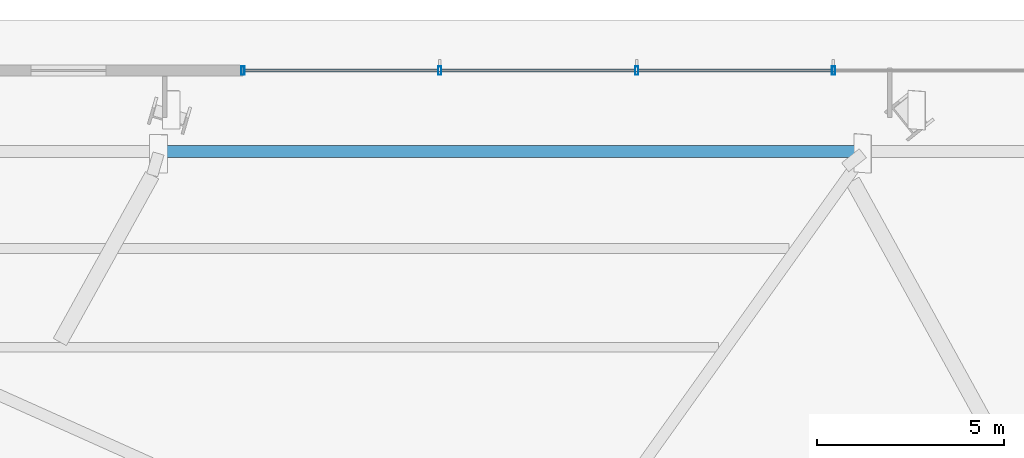
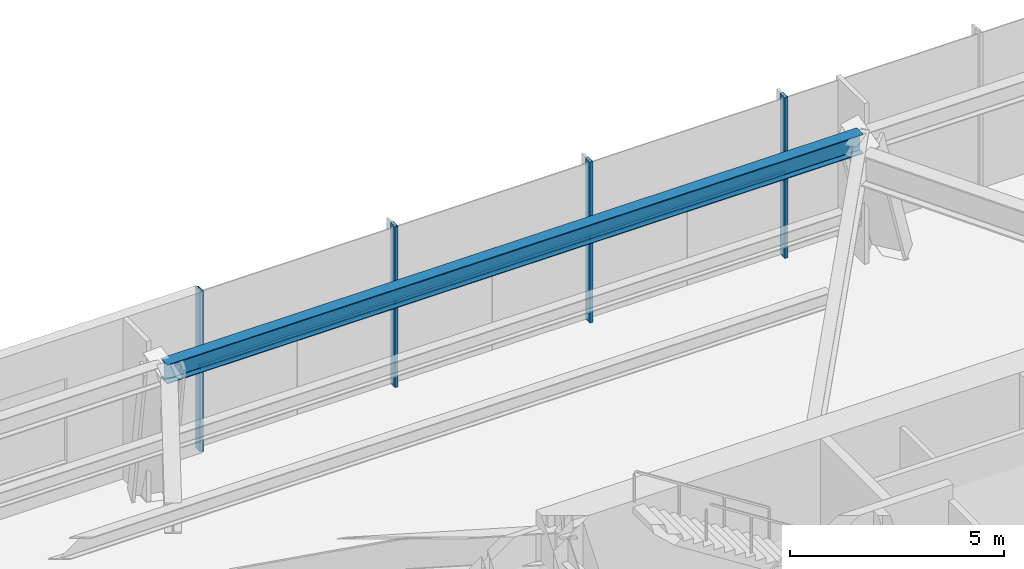
# One storey, part 15 of 31: 7 members, 1 beam, 1 element without a shape of its own.
"""IFC4 building model written with IfcOpenShell, lengths in metres."""

from ifc_helpers import new_model, si_unit, direction, frame, origin, origin_2d, place, context, subcontext, project, spatial, hollow_rectangle, i_section, extrude, source, transform, mapped, material, material_profile, profile_set, type_object, type_shapes, element, aggregate, save


model = new_model("IFC4")

# Units and contexts
model_context = context("Model", 3, precision=1e-05, world=origin(), true_north=direction((0.0, 1.0)))
body_context = subcontext(model_context, "Body", "Model", "MODEL_VIEW")
ifc_project = project(units=[si_unit("LENGTHUNIT", "METRE"), si_unit("AREAUNIT", "SQUARE_METRE"), si_unit("VOLUMEUNIT", "CUBIC_METRE"), si_unit("PLANEANGLEUNIT", "RADIAN"), si_unit("MASSUNIT", "GRAM", prefix="KILO")], contexts=[model_context])

# Site, building, storey
site_placement = place(None, origin())
site = spatial("IfcSite", under=ifc_project, at=site_placement, CompositionType="ELEMENT")
building_placement = place(site_placement, origin())
building = spatial("IfcBuilding", under=site, at=building_placement, Name="Astriad Promenade Condominiums", CompositionType="ELEMENT")
storey_placement = place(building_placement, origin())
storey = spatial("IfcBuildingStorey", under=building, at=storey_placement, Name="L00", CompositionType="ELEMENT", Elevation=0.0)

# Beam
ifc_material_1 = material(Name="Steel ASTM A992 Grade 50", Category="steel")
ifc_material_profile_1 = material_profile(ifc_material_1, i_section(OverallWidth=0.3134765625, OverallDepth=0.54638671875, WebThickness=0.013916015625, FlangeThickness=0.022216796875, FilletRadius=0.0166015625, at=origin_2d()), Name="W21X111")
ifc_profile_set_1 = profile_set([ifc_material_profile_1], Name="Steel ASTM A992 Grade 50")
beam_type = type_object("IfcBeamType", Name="STEEL SPANDREL BEAM W21X111", PredefinedType="SPANDREL", material=ifc_profile_set_1)
shared_shape_1 = source(origin(), body_context, "Body", "SweptSolid", [
    extrude(i_section(OverallWidth=0.3134765625, OverallDepth=0.54638671875, WebThickness=0.013916015625, FlangeThickness=0.022216796875, FilletRadius=0.0166015625, at=origin_2d()), origin(), (0.0, 0.0, 1.0), 18.74853515625),
])
type_shapes(beam_type, [shared_shape_1])
beam_placement = place(storey_placement, frame((40.54931640625, 34.49169921875, 4.306884765625), z_axis=(-0.999999999915, -1.3021851e-05, 0.0), x_axis=(1.3021851e-05, -0.999999999915, 0.0)))
element("IfcBeam", 1, at=beam_placement, inside=storey, type_object=beam_type, Name="Perimeter Spandrel Beam SP-N2-L00", PredefinedType="SPANDREL", context=body_context, shape_type="MappedRepresentation", body=[
    mapped(shared_shape_1, transform((0.0, 0.0, 0.0), scale=1.0)),
])

# Curtain wall, members
ifc_material_2 = material(Name="Anodised aluminium Black Dark Glass Unitised", Category="aluminium")
curtain_wall_type = type_object("IfcCurtainWallType", Name="CW-POD-DARK", PredefinedType="USERDEFINED", material=ifc_material_2)
curtain_wall_placement = place(storey_placement, origin())
curtain_wall = element("IfcCurtainWall", 2, at=curtain_wall_placement, inside=storey, type_object=curtain_wall_type, Name="CW-L00-N", ObjectType="UNITISED_CURTAIN_WALL", PredefinedType="USERDEFINED")
ifc_material_3 = material(Name="Anodised aluminium 6063-T6 Black", Category="aluminium")
ifc_material_profile_2 = material_profile(ifc_material_3, hollow_rectangle(XDim=0.0849609375, YDim=0.219970703125, WallThickness=0.0048828125, at=origin_2d()), Name="ALU-MUL-85X220")
ifc_profile_set_2 = profile_set([ifc_material_profile_2], Name="Anodised aluminium 6063-T6 Black")
member_type_1 = type_object("IfcMemberType", Name="MUL-ALU-MUL-85X220", PredefinedType="MULLION", material=ifc_profile_set_2)
shared_shape_2 = source(origin(), body_context, "Body", "SweptSolid", [
    extrude(hollow_rectangle(XDim=0.0849609375, YDim=0.219970703125, WallThickness=0.0048828125, at=origin_2d()), origin(), (0.0, 0.0, 1.0), 4.580078125),
])
type_shapes(member_type_1, [shared_shape_2])
member_1_placement = place(storey_placement, frame((24.0, 36.64990234375, 0.0), z_axis=(0.0, 0.0, 1.0), x_axis=(1.0, 0.0, 0.0)))
member_1 = element("IfcMember", 3, at=member_1_placement, type_object=member_type_1, Name="CW-L00-N-MUL-00", PredefinedType="MULLION", context=body_context, shape_type="MappedRepresentation", body=[
    mapped(shared_shape_2, transform((0.0, 0.0, 0.0), scale=1.0)),
])
member_2_placement = place(storey_placement, frame((29.25, 36.64990234375, 0.0), z_axis=(0.0, 0.0, 1.0), x_axis=(1.0, 0.0, 0.0)))
member_2 = element("IfcMember", 4, at=member_2_placement, type_object=member_type_1, Name="CW-L00-N-MUL-01", PredefinedType="MULLION", context=body_context, shape_type="MappedRepresentation", body=[
    mapped(shared_shape_2, transform((0.0, 0.0, 0.0), scale=1.0)),
])
member_3_placement = place(storey_placement, frame((34.5, 36.64990234375, 0.0), z_axis=(0.0, 0.0, 1.0), x_axis=(1.0, 0.0, 0.0)))
member_3 = element("IfcMember", 5, at=member_3_placement, type_object=member_type_1, Name="CW-L00-N-MUL-02", PredefinedType="MULLION", context=body_context, shape_type="MappedRepresentation", body=[
    mapped(shared_shape_2, transform((0.0, 0.0, 0.0), scale=1.0)),
])
member_4_placement = place(storey_placement, frame((39.75, 36.64990234375, 0.0), z_axis=(0.0, 0.0, 1.0), x_axis=(1.0, 0.0, 0.0)))
member_4 = element("IfcMember", 6, at=member_4_placement, type_object=member_type_1, Name="CW-L00-N-MUL-03", PredefinedType="MULLION", context=body_context, shape_type="MappedRepresentation", body=[
    mapped(shared_shape_2, transform((0.0, 0.0, 0.0), scale=1.0)),
])
ifc_material_profile_3 = material_profile(ifc_material_3, hollow_rectangle(XDim=0.074951171875, YDim=0.14990234375, WallThickness=0.004150390625, at=origin_2d()), Name="ALU-TRN-75X150")
ifc_profile_set_3 = profile_set([ifc_material_profile_3], Name="Anodised aluminium 6063-T6 Black")
member_type_2 = type_object("IfcMemberType", Name="TRN-ALU-TRN-75X150", PredefinedType="USERDEFINED", material=ifc_profile_set_3)
shared_shape_3 = source(origin(), body_context, "Body", "SweptSolid", [
    extrude(hollow_rectangle(XDim=0.074951171875, YDim=0.14990234375, WallThickness=0.004150390625, at=origin_2d()), origin(), (0.0, 0.0, 1.0), 5.25),
])
type_shapes(member_type_2, [shared_shape_3])
member_5_placement = place(storey_placement, frame((24.0, 36.64990234375, 2.35009765625), z_axis=(1.0, 0.0, 0.0), x_axis=(0.0, 1.0, 0.0)))
member_5 = element("IfcMember", 7, at=member_5_placement, type_object=member_type_2, Name="CW-L00-N-TRN-00-0", ObjectType="TRANSOM", PredefinedType="USERDEFINED", context=body_context, shape_type="MappedRepresentation", body=[
    mapped(shared_shape_3, transform((0.0, 0.0, 0.0), scale=1.0)),
])
member_6_placement = place(storey_placement, frame((29.25, 36.64990234375, 2.35009765625), z_axis=(1.0, 0.0, 0.0), x_axis=(0.0, 1.0, 0.0)))
member_6 = element("IfcMember", 8, at=member_6_placement, type_object=member_type_2, Name="CW-L00-N-TRN-01-0", ObjectType="TRANSOM", PredefinedType="USERDEFINED", context=body_context, shape_type="MappedRepresentation", body=[
    mapped(shared_shape_3, transform((0.0, 0.0, 0.0), scale=1.0)),
])
member_7_placement = place(storey_placement, frame((34.5, 36.64990234375, 2.35009765625), z_axis=(1.0, 0.0, 0.0), x_axis=(0.0, 1.0, 0.0)))
member_7 = element("IfcMember", 9, at=member_7_placement, type_object=member_type_2, Name="CW-L00-N-TRN-02-0", ObjectType="TRANSOM", PredefinedType="USERDEFINED", context=body_context, shape_type="MappedRepresentation", body=[
    mapped(shared_shape_3, transform((0.0, 0.0, 0.0), scale=1.0)),
])
aggregate(curtain_wall, [member_1, member_2, member_3, member_4, member_5, member_6, member_7])

save(model, "model.ifc")
